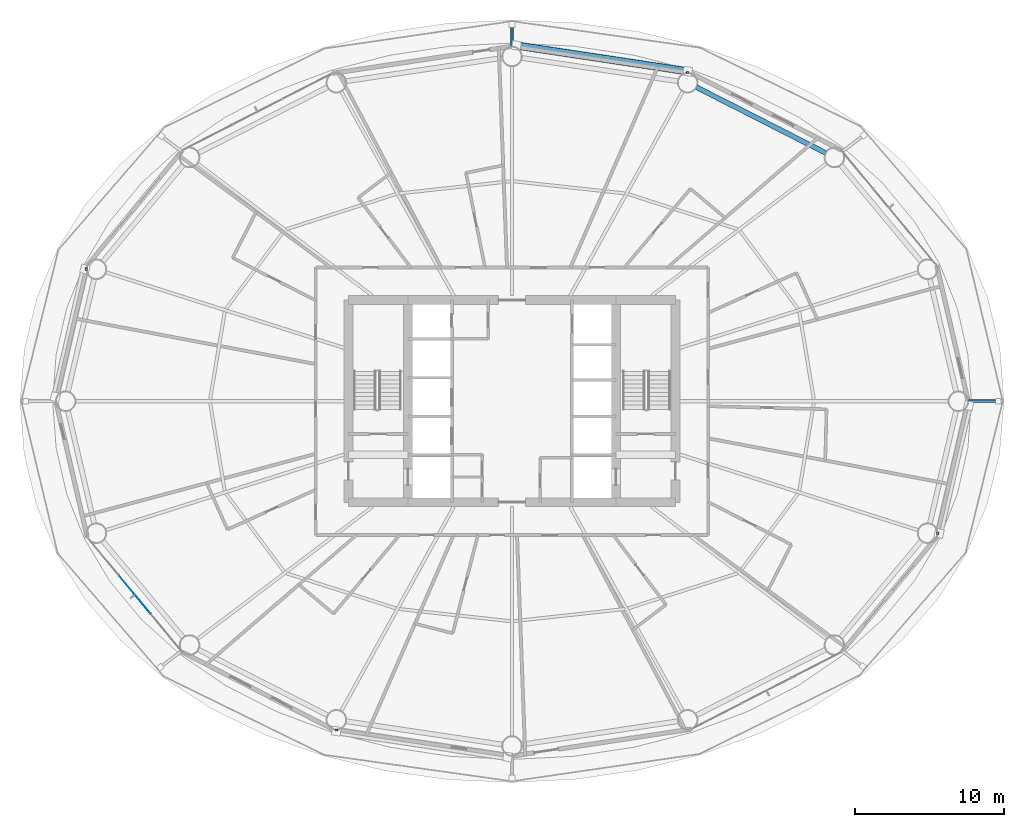
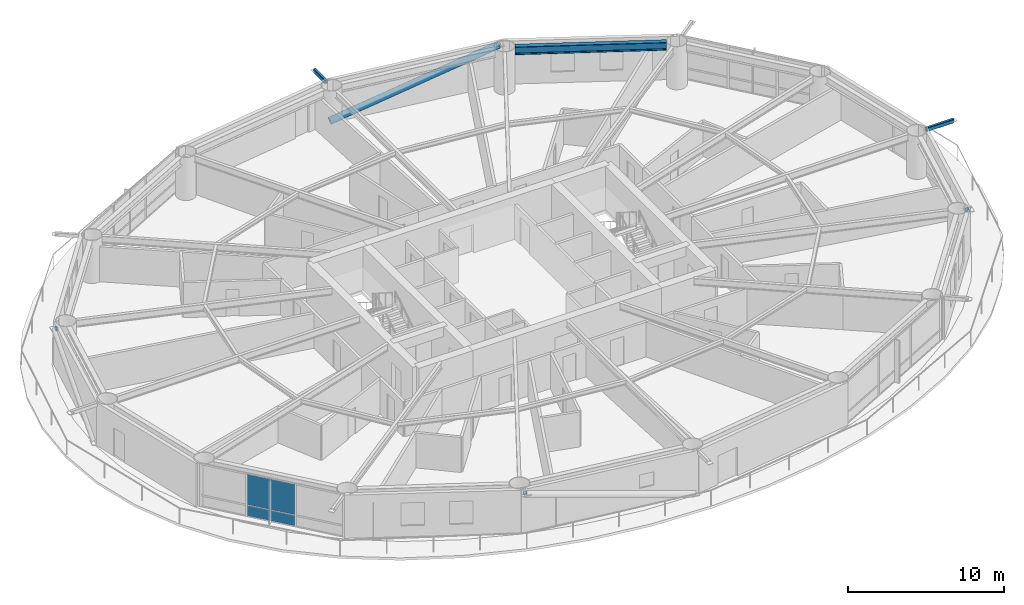
# One storey, part 15 of 26: 7 members, 2 plates, 1 beam, 1 element without a shape of its own.
"""IFC4 building model written with IfcOpenShell, lengths in metres."""

from ifc_helpers import new_model, si_unit, direction, frame, origin, origin_2d, place, context, subcontext, project, spatial, rectangle, hollow_rectangle, hollow_circle, i_section, extrude, material, layer, layer_set, material_profile, profile_set, type_object, element, aggregate, save


model = new_model("IFC4")

# Units and contexts
model_context = context("Model", 3, precision=1e-05, world=origin(), true_north=direction((0.0, 1.0)))
body_context = subcontext(model_context, "Body", "Model", "MODEL_VIEW")
ifc_project = project(units=[si_unit("LENGTHUNIT", "METRE"), si_unit("AREAUNIT", "SQUARE_METRE"), si_unit("VOLUMEUNIT", "CUBIC_METRE"), si_unit("PLANEANGLEUNIT", "RADIAN"), si_unit("MASSUNIT", "GRAM", prefix="KILO")], contexts=[model_context])

# Site, building, storey
site_placement = place(None, origin())
site = spatial("IfcSite", under=ifc_project, at=site_placement, CompositionType="ELEMENT")
building_placement = place(site_placement, origin())
building = spatial("IfcBuilding", under=site, at=building_placement, Name="Sarneth Arch Tower", CompositionType="ELEMENT")
storey_placement = place(building_placement, frame((0.0, 0.0, 42.60009765625)))
storey = spatial("IfcBuildingStorey", under=building, at=storey_placement, Name="L09", CompositionType="ELEMENT", Elevation=42.60009765625)

# Beam
ifc_material_1 = material(Name="Steel S355", Category="steel")
ifc_material_profile_1 = material_profile(ifc_material_1, i_section(OverallWidth=0.326904296875, OverallDepth=0.6220703125, WebThickness=0.015380859375, FlangeThickness=0.0244140625, FilletRadius=0.01904296875, at=origin_2d()), Name="W610x195")
ifc_profile_set_1 = profile_set([ifc_material_profile_1], Name="Steel S355")
beam_type = type_object("IfcBeamType", Name="BM-SPAN-610A", PredefinedType="SPANDREL", material=ifc_profile_set_1)
beam_placement = place(storey_placement, frame((69.09521484375, 58.711181640625, 3.06884765625), z_axis=(-0.8911738076, 0.453662037919, 0.0), x_axis=(-0.453662037919, -0.8911738076, 0.0)))
element("IfcBeam", 1, at=beam_placement, inside=storey, type_object=beam_type, Name="L09 Perimeter spandrel beam 03", PredefinedType="SPANDREL", context=body_context, shape_type="SweptSolid", body=[
    extrude(i_section(OverallWidth=0.326904296875, OverallDepth=0.6220703125, WebThickness=0.015380859375, FlangeThickness=0.0244140625, FilletRadius=0.01904296875, at=origin_2d()), origin(), (0.0, 0.0, 1.0), 9.735107421875),
])

# Members
ifc_material_2 = material(Name="Steel S355", Category="steel")
ifc_material_profile_2 = material_profile(ifc_material_2, hollow_rectangle(XDim=0.199951171875, YDim=0.300048828125, WallThickness=0.012451171875, InnerFilletRadius=0.018798828125, OuterFilletRadius=0.03125, at=origin_2d()), Name="RHS300x200x12.5")
ifc_profile_set_2 = profile_set([ifc_material_profile_2], Name="Steel S355")
member_type_1 = type_object("IfcMemberType", Name="MEM-CANT-STRUT", PredefinedType="STRUT", material=ifc_profile_set_2)
member_1_placement = place(storey_placement, frame((78.709716796875, 42.0, 3.219970703125), z_axis=(1.0, 0.0, 0.0), x_axis=(0.0, 1.0, 0.0)))
element("IfcMember", 2, at=member_1_placement, inside=storey, type_object=member_type_1, Name="L09 Balcony cantilever bracket 01", PredefinedType="STRUT", context=body_context, shape_type="SweptSolid", body=[
    extrude(hollow_rectangle(XDim=0.199951171875, YDim=0.300048828125, WallThickness=0.012451171875, InnerFilletRadius=0.018798828125, OuterFilletRadius=0.03125, at=origin_2d()), origin(), (0.0, 0.0, 1.0), 2.02099609375),
])
member_2_placement = place(storey_placement, frame((59.819091796875, 64.04150390625, 3.006591796875), z_axis=(0.003095960395, 0.999995207503, 0.0), x_axis=(-0.999995207503, 0.003095960395, 0.0)))
element("IfcMember", 3, at=member_2_placement, inside=storey, type_object=member_type_1, Name="L09 Exoskeleton brace node strut 04B", PredefinedType="STRUT", context=body_context, shape_type="SweptSolid", body=[
    extrude(hollow_rectangle(XDim=0.199951171875, YDim=0.300048828125, WallThickness=0.012451171875, InnerFilletRadius=0.018798828125, OuterFilletRadius=0.03125, at=origin_2d()), origin(), (0.0, 0.0, 1.0), 0.15771484375),
])
member_3_placement = place(storey_placement, frame((48.0, 65.875, 3.219970703125), z_axis=(0.0, 1.0, 0.0), x_axis=(-1.0, 0.0, 0.0)))
element("IfcMember", 4, at=member_3_placement, inside=storey, type_object=member_type_1, Name="L09 Balcony cantilever bracket 05", PredefinedType="STRUT", context=body_context, shape_type="SweptSolid", body=[
    extrude(hollow_rectangle(XDim=0.199951171875, YDim=0.300048828125, WallThickness=0.012451171875, InnerFilletRadius=0.018798828125, OuterFilletRadius=0.03125, at=origin_2d()), origin(), (0.0, 0.0, 1.0), 1.479248046875),
])
member_4_placement = place(storey_placement, frame((19.427001953125, 50.883056640625, 3.006591796875), z_axis=(-0.999961074937, 0.008823185955, 0.0), x_axis=(-0.008823185955, -0.999961074937, 0.0)))
element("IfcMember", 5, at=member_4_placement, inside=storey, type_object=member_type_1, Name="L09 Exoskeleton brace node strut 08B", PredefinedType="STRUT", context=body_context, shape_type="SweptSolid", body=[
    extrude(hollow_rectangle(XDim=0.199951171875, YDim=0.300048828125, WallThickness=0.012451171875, InnerFilletRadius=0.018798828125, OuterFilletRadius=0.03125, at=origin_2d()), origin(), (0.0, 0.0, 1.0), 0.166015625),
])
member_5_placement = place(storey_placement, frame((36.180908203125, 19.95849609375, 3.006591796875), z_axis=(-0.003095960395, -0.999995207503, 0.0), x_axis=(0.999995207503, -0.003095960395, 0.0)))
element("IfcMember", 6, at=member_5_placement, inside=storey, type_object=member_type_1, Name="L09 Exoskeleton brace node strut 12B", PredefinedType="STRUT", context=body_context, shape_type="SweptSolid", body=[
    extrude(hollow_rectangle(XDim=0.199951171875, YDim=0.300048828125, WallThickness=0.012451171875, InnerFilletRadius=0.018798828125, OuterFilletRadius=0.03125, at=origin_2d()), origin(), (0.0, 0.0, 1.0), 0.15771484375),
])
member_6_placement = place(storey_placement, frame((76.572998046875, 33.116943359375, 3.006591796875), z_axis=(0.999961074937, -0.008823185955, 0.0), x_axis=(0.008823185955, 0.999961074937, 0.0)))
element("IfcMember", 7, at=member_6_placement, inside=storey, type_object=member_type_1, Name="L09 Exoskeleton brace node strut 16B", PredefinedType="STRUT", context=body_context, shape_type="SweptSolid", body=[
    extrude(hollow_rectangle(XDim=0.199951171875, YDim=0.300048828125, WallThickness=0.012451171875, InnerFilletRadius=0.018798828125, OuterFilletRadius=0.03125, at=origin_2d()), origin(), (0.0, 0.0, 1.0), 0.166015625),
])
ifc_material_3 = material(Name="Steel S355", Category="steel")
ifc_material_profile_3 = material_profile(ifc_material_3, hollow_circle(Radius=0.25390625, WallThickness=0.01611328125, at=origin_2d()), Name="CHS508x16")
ifc_profile_set_3 = profile_set([ifc_material_profile_3], Name="Steel S355")
member_type_2 = type_object("IfcMemberType", Name="MEM-DIAG-BR1", PredefinedType="BRACE", material=ifc_profile_set_3)
member_7_placement = place(storey_placement, frame((48.296630859375, 65.935302734375, 0.02001953125), z_axis=(0.957880726284, -0.144317340663, 0.248268039422), x_axis=(0.1489817545, 0.988839944999, 0.0)))
element("IfcMember", 8, at=member_7_placement, inside=storey, type_object=member_type_2, Name="L09 Perimeter frame diagonal 04", PredefinedType="BRACE", context=body_context, shape_type="SweptSolid", body=[
    extrude(hollow_circle(Radius=0.25390625, WallThickness=0.01611328125, at=origin_2d()), origin(), (0.0, 0.0, 1.0), 12.029541015625),
])

# Curtain wall, plates
ifc_material_4 = material(Name="Anodised aluminium Type AA25 and solar-control low-e laminated IGU", Category="aluminium")
ifc_layer_1 = layer(ifc_material_4, 0.159912109375)
ifc_layer_set_1 = layer_set([ifc_layer_1], Name="Anodised aluminium Type AA25 and solar-control low-e laminated IGU")
curtain_wall_type = type_object("IfcCurtainWallType", Name="CW-HOTEL-LOW", PredefinedType="NOTDEFINED", material=ifc_layer_set_1)
curtain_wall_placement = place(storey_placement, origin())
curtain_wall = element("IfcCurtainWall", 9, at=curtain_wall_placement, inside=storey, type_object=curtain_wall_type, Name="L09 Unitised curtain wall facet 10", PredefinedType="NOTDEFINED")
ifc_material_5 = material(Name="Solar-control low-e laminated IGU", Category="glass")
ifc_layer_2 = layer(ifc_material_5, 0.028076171875)
ifc_layer_set_2 = layer_set([ifc_layer_2], Name="Solar-control low-e laminated IGU")
plate_type = type_object("IfcPlateType", Name="CW-PANEL", PredefinedType="CURTAIN_PANEL", material=ifc_layer_set_2)
plate_1_placement = place(storey_placement, frame((22.62255859375, 28.98779296875, 0.059814453125), z_axis=(0.0, 0.0, 1.0), x_axis=(0.637291340827, -0.770622960278, 0.0)))
plate_1 = element("IfcPlate", 10, at=plate_1_placement, type_object=plate_type, Name="Curtain wall glazed vision pane CW-L09-F10/P01-00", PredefinedType="CURTAIN_PANEL", context=body_context, shape_type="SweptSolid", body=[
    extrude(rectangle(XDim=3.291015625, YDim=0.028076171875, at=origin_2d()), origin(), (0.0, 0.0, 1.0), 0.81005859375),
])
plate_2_placement = place(storey_placement, frame((22.62255859375, 28.98779296875, 0.93017578125), z_axis=(0.0, 0.0, 1.0), x_axis=(0.637291340827, -0.770622960278, 0.0)))
plate_2 = element("IfcPlate", 11, at=plate_2_placement, type_object=plate_type, Name="Curtain wall glazed vision pane CW-L09-F10/P01-01", PredefinedType="CURTAIN_PANEL", context=body_context, shape_type="SweptSolid", body=[
    extrude(rectangle(XDim=3.291015625, YDim=0.028076171875, at=origin_2d()), origin(), (0.0, 0.0, 1.0), 2.389892578125),
])
aggregate(curtain_wall, [plate_1, plate_2])

save(model, "model.ifc")
